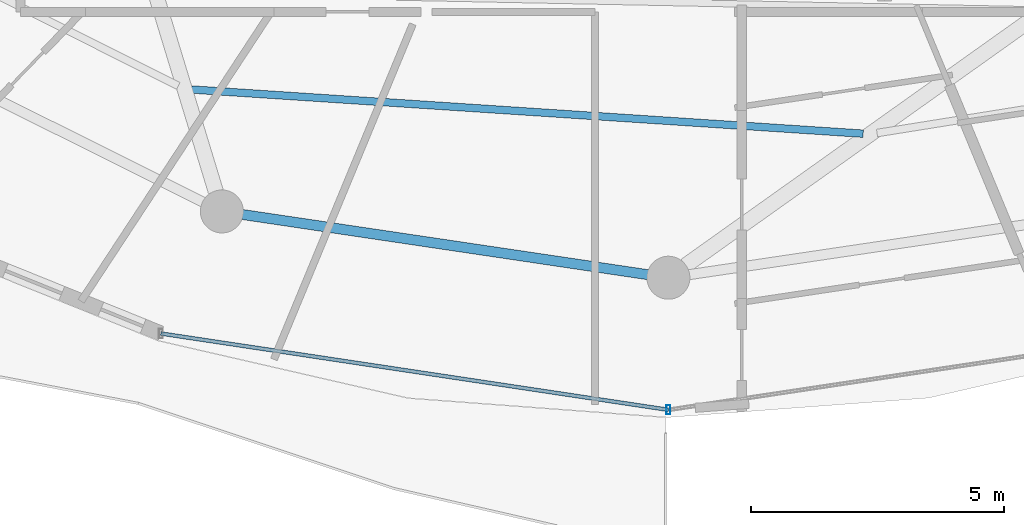
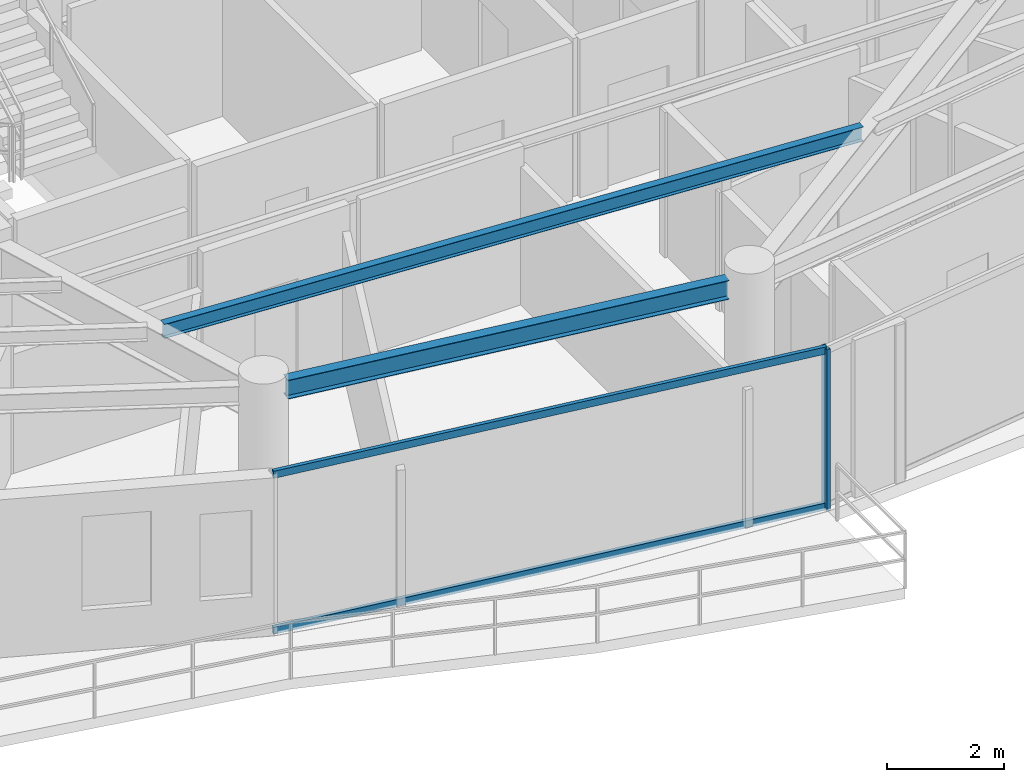
# One storey, part 5 of 31: 3 members, 2 beams, 1 element without a shape of its own.
"""IFC4 building model written with IfcOpenShell, lengths in metres."""

from ifc_helpers import new_model, si_unit, direction, frame, origin, origin_2d, place, context, subcontext, project, spatial, hollow_rectangle, i_section, extrude, material, material_profile, profile_set, type_object, element, aggregate, save


model = new_model("IFC4")

# Units and contexts
model_context = context("Model", 3, precision=1e-05, world=origin(), true_north=direction((0.0, 1.0)))
body_context = subcontext(model_context, "Body", "Model", "MODEL_VIEW")
ifc_project = project(units=[si_unit("LENGTHUNIT", "METRE"), si_unit("AREAUNIT", "SQUARE_METRE"), si_unit("VOLUMEUNIT", "CUBIC_METRE"), si_unit("PLANEANGLEUNIT", "RADIAN"), si_unit("MASSUNIT", "GRAM", prefix="KILO")], contexts=[model_context])

# Site, building, storey
site_placement = place(None, origin())
site = spatial("IfcSite", under=ifc_project, at=site_placement, CompositionType="ELEMENT")
building_placement = place(site_placement, origin())
building = spatial("IfcBuilding", under=site, at=building_placement, Name="Vorneva Point Tower", CompositionType="ELEMENT")
storey_placement = place(building_placement, frame((0.0, 0.0, 244.89990234375)))
storey = spatial("IfcBuildingStorey", under=building, at=storey_placement, Name="L66", CompositionType="ELEMENT", Elevation=244.89990234375)

# Beams
ifc_material_1 = material(Name="Steel S355", Category="steel")
ifc_material_profile_1 = material_profile(ifc_material_1, i_section(OverallWidth=0.14892578125, OverallDepth=0.298095703125, WebThickness=0.005615234375, FlangeThickness=0.008056640625, at=origin_2d()), Name="30B1")
ifc_profile_set_1 = profile_set([ifc_material_profile_1], Name="Steel S355")
beam_type_1 = type_object("IfcBeamType", Name="BM-JST-30B1", PredefinedType="JOIST", material=ifc_profile_set_1)
beam_1_placement = place(storey_placement, frame((28.5810546875, 12.5185546875, 3.14111328125), z_axis=(0.997841748634, -0.065664637992, 0.0), x_axis=(0.065664637992, 0.997841748634, 0.0)))
element("IfcBeam", 1, at=beam_1_placement, inside=storey, type_object=beam_type_1, Name="L66 Secondary Floor Beam 1.12", PredefinedType="JOIST", context=body_context, shape_type="SweptSolid", body=[
    extrude(i_section(OverallWidth=0.14892578125, OverallDepth=0.298095703125, WebThickness=0.005615234375, FlangeThickness=0.008056640625, at=origin_2d()), origin(), (0.0, 0.0, 1.0), 13.295654296875),
])
ifc_material_profile_2 = material_profile(ifc_material_1, i_section(OverallWidth=0.198974609375, OverallDepth=0.39599609375, WebThickness=0.007080078125, FlangeThickness=0.010986328125, at=origin_2d()), Name="40B1")
ifc_profile_set_2 = profile_set([ifc_material_profile_2], Name="Steel S355")
beam_type_2 = type_object("IfcBeamType", Name="BM-SPN-40B1", PredefinedType="SPANDREL", material=ifc_profile_set_2)
beam_2_placement = place(storey_placement, frame((29.584716796875, 10.049072265625, 3.092041015625), z_axis=(0.989161657331, -0.146830567886, 0.0), x_axis=(0.146830567886, 0.989161657331, 0.0)))
element("IfcBeam", 2, at=beam_2_placement, inside=storey, type_object=beam_type_2, Name="L66 Perimeter Spandrel Ring Beam 12", PredefinedType="SPANDREL", context=body_context, shape_type="SweptSolid", body=[
    extrude(i_section(OverallWidth=0.198974609375, OverallDepth=0.39599609375, WebThickness=0.007080078125, FlangeThickness=0.010986328125, at=origin_2d()), origin(), (0.0, 0.0, 1.0), 8.097412109375),
])

# Curtain wall, members
ifc_material_2 = material(Name="Pale anodised aluminium", Category="aluminium")
curtain_wall_type = type_object("IfcCurtainWallType", Name="CW-RES-SYS", PredefinedType="NOTDEFINED", material=ifc_material_2)
curtain_wall_placement = place(storey_placement, origin())
curtain_wall = element("IfcCurtainWall", 3, at=curtain_wall_placement, inside=storey, type_object=curtain_wall_type, Name="L66 Unitised Curtain Wall CW-L66-R04", PredefinedType="NOTDEFINED")
ifc_material_profile_3 = material_profile(ifc_material_2, hollow_rectangle(XDim=0.074951171875, YDim=0.179931640625, WallThickness=0.00390625, at=origin_2d()), Name="AL-MUL 180x75x4")
ifc_profile_set_3 = profile_set([ifc_material_profile_3], Name="Pale anodised aluminium")
member_type_1 = type_object("IfcMemberType", Name="CW-MUL-180", PredefinedType="MULLION", material=ifc_profile_set_3)
member_1_placement = place(storey_placement, frame((38.0, 6.18994140625, -0.039794921875), z_axis=(0.0, 0.0, 1.0), x_axis=(1.0, 0.0, 0.0)))
member_1 = element("IfcMember", 4, at=member_1_placement, type_object=member_type_1, Name="CW-L66-R04 Mullion 02", PredefinedType="MULLION", context=body_context, shape_type="SweptSolid", body=[
    extrude(hollow_rectangle(XDim=0.074951171875, YDim=0.179931640625, WallThickness=0.00390625, at=origin_2d()), origin(), (0.0, 0.0, 1.0), 3.35986328125),
])
ifc_material_profile_4 = material_profile(ifc_material_2, hollow_rectangle(XDim=0.074951171875, YDim=0.14990234375, WallThickness=0.00390625, at=origin_2d()), Name="AL-TRN 150x75x4")
ifc_profile_set_4 = profile_set([ifc_material_profile_4], Name="Pale anodised aluminium")
member_type_2 = type_object("IfcMemberType", Name="CW-TRN-150", PredefinedType="USERDEFINED", material=ifc_profile_set_4)
member_2_placement = place(storey_placement, frame((27.9736328125, 7.697998046875, 0.02001953125), z_axis=(0.988876929856, -0.148736066907, 0.0), x_axis=(0.148736066907, 0.988876929856, 0.0)))
member_2 = element("IfcMember", 5, at=member_2_placement, type_object=member_type_2, Name="CW-L66-R04 Transom 01.1", ObjectType="TRANSOM", PredefinedType="USERDEFINED", context=body_context, shape_type="SweptSolid", body=[
    extrude(hollow_rectangle(XDim=0.074951171875, YDim=0.14990234375, WallThickness=0.00390625, at=origin_2d()), origin(), (0.0, 0.0, 1.0), 10.13916015625),
])
member_3_placement = place(storey_placement, frame((27.9736328125, 7.697998046875, 3.27001953125), z_axis=(0.988876929856, -0.148736066907, 0.0), x_axis=(0.148736066907, 0.988876929856, 0.0)))
member_3 = element("IfcMember", 6, at=member_3_placement, type_object=member_type_2, Name="CW-L66-R04 Transom 01.2", ObjectType="TRANSOM", PredefinedType="USERDEFINED", context=body_context, shape_type="SweptSolid", body=[
    extrude(hollow_rectangle(XDim=0.074951171875, YDim=0.14990234375, WallThickness=0.00390625, at=origin_2d()), origin(), (0.0, 0.0, 1.0), 10.13916015625),
])
aggregate(curtain_wall, [member_1, member_2, member_3])

save(model, "model.ifc")
